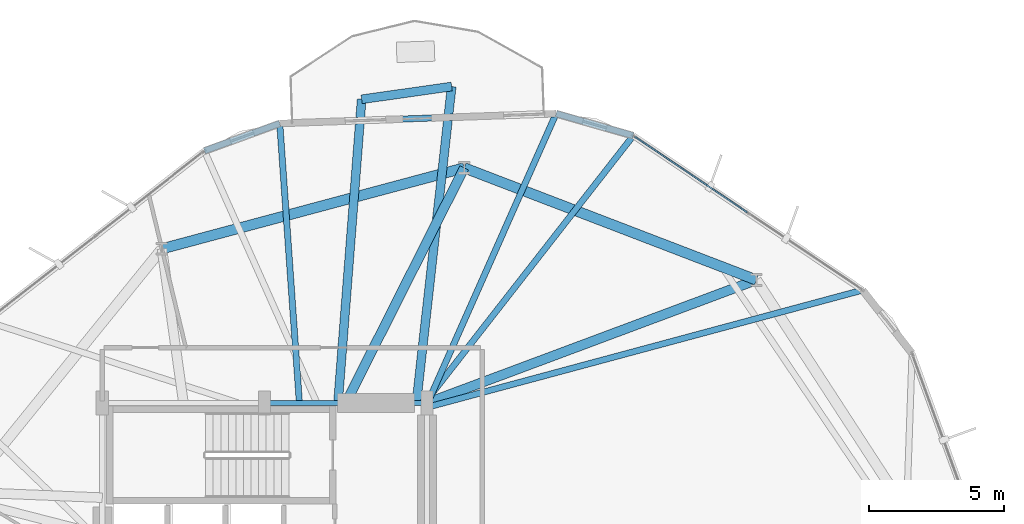
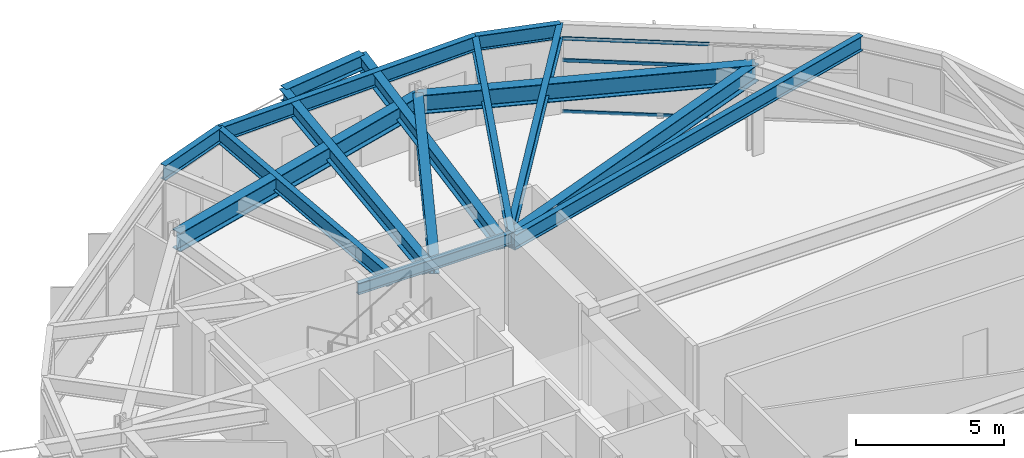
# One storey, part 13 of 21: 15 beams, 3 members, 1 element without a shape of its own.
"""IFC4 building model written with IfcOpenShell, lengths in metres."""

from ifc_helpers import new_model, si_unit, direction, frame, origin, origin_2d, place, context, subcontext, project, spatial, hollow_rectangle, i_section, extrude, material, layer, layer_set, material_profile, profile_set, type_object, element, aggregate, save


model = new_model("IFC4")

# Units and contexts
model_context = context("Model", 3, precision=1e-05, world=origin(), true_north=direction((0.0, 1.0)))
body_context = subcontext(model_context, "Body", "Model", "MODEL_VIEW")
ifc_project = project(units=[si_unit("LENGTHUNIT", "METRE"), si_unit("AREAUNIT", "SQUARE_METRE"), si_unit("VOLUMEUNIT", "CUBIC_METRE"), si_unit("PLANEANGLEUNIT", "RADIAN"), si_unit("MASSUNIT", "GRAM", prefix="KILO")], contexts=[model_context])

# Site, building, storey
site_placement = place(None, origin())
site = spatial("IfcSite", under=ifc_project, at=site_placement, CompositionType="ELEMENT")
building_placement = place(site_placement, origin())
building = spatial("IfcBuilding", under=site, at=building_placement, Name="Soratama Intermodal Tower", CompositionType="ELEMENT")
storey_placement = place(building_placement, frame((0.0, 0.0, 34.60009765625)))
storey = spatial("IfcBuildingStorey", under=building, at=storey_placement, Name="L07", CompositionType="ELEMENT", Elevation=34.60009765625)

# Beams
ifc_material_1 = material(Name="Structural steel ASTM A992 Grade 50", Category="steel")
ifc_material_profile_1 = material_profile(ifc_material_1, i_section(OverallWidth=0.324951171875, OverallDepth=0.615966796875, WebThickness=0.013916015625, FlangeThickness=0.021484375, FilletRadius=0.013916015625, at=origin_2d()), Name="W24X117")
ifc_profile_set_1 = profile_set([ifc_material_profile_1], Name="Structural steel ASTM A992 Grade 50")
beam_type_1 = type_object("IfcBeamType", Name="BM-CANT-W24X117", PredefinedType="BEAM", material=ifc_profile_set_1)
beam_1_placement = place(storey_placement, frame((45.51708984375, 46.699951171875, 3.391845703125), z_axis=(-0.990095674072, -0.140394288291, 0.0), x_axis=(0.140394288291, -0.990095674072, 0.0)))
element("IfcBeam", 1, at=beam_1_placement, inside=storey, type_object=beam_type_1, Name="BM-L07-CBHDR-2", PredefinedType="BEAM", context=body_context, shape_type="SweptSolid", body=[
    extrude(i_section(OverallWidth=0.324951171875, OverallDepth=0.615966796875, WebThickness=0.013916015625, FlangeThickness=0.021484375, FilletRadius=0.013916015625, at=origin_2d()), origin(), (0.0, 0.0, 1.0), 3.361328125),
])
beam_2_placement = place(storey_placement, frame((44.216064453125, 35.0400390625, 3.391845703125), z_axis=(0.110892872052, 0.993832365607, 0.0), x_axis=(-0.993832365607, 0.110892872052, 0.0)))
element("IfcBeam", 2, at=beam_2_placement, inside=storey, type_object=beam_type_1, Name="BM-L07-CANT-2-1", PredefinedType="BEAM", context=body_context, shape_type="SweptSolid", body=[
    extrude(i_section(OverallWidth=0.324951171875, OverallDepth=0.615966796875, WebThickness=0.013916015625, FlangeThickness=0.021484375, FilletRadius=0.013916015625, at=origin_2d()), origin(), (0.0, 0.0, 1.0), 11.732177734375),
])
beam_3_placement = place(storey_placement, frame((41.31689453125, 35.0400390625, 3.391845703125), z_axis=(0.077711297756, 0.996975904524, 0.0), x_axis=(-0.996975904524, 0.077711297756, 0.0)))
element("IfcBeam", 3, at=beam_3_placement, inside=storey, type_object=beam_type_1, Name="BM-L07-CANT-2-2", PredefinedType="BEAM", context=body_context, shape_type="SweptSolid", body=[
    extrude(i_section(OverallWidth=0.324951171875, OverallDepth=0.615966796875, WebThickness=0.013916015625, FlangeThickness=0.021484375, FilletRadius=0.013916015625, at=origin_2d()), origin(), (0.0, 0.0, 1.0), 11.221923828125),
])
ifc_material_2 = material(Name="Structural steel ASTM A992 Grade 50", Category="steel")
ifc_material_profile_2 = material_profile(ifc_material_2, i_section(OverallWidth=0.19091796875, OverallDepth=0.4599609375, WebThickness=0.010009765625, FlangeThickness=0.01611328125, FilletRadius=0.010986328125, at=origin_2d()), Name="W18X55")
ifc_profile_set_2 = profile_set([ifc_material_profile_2], Name="Structural steel ASTM A992 Grade 50")
beam_type_2 = type_object("IfcBeamType", Name="BM-FLR-W18X55", PredefinedType="BEAM", material=ifc_profile_set_2)
beam_4_placement = place(storey_placement, frame((44.60009765625, 35.0, 3.469970703125), z_axis=(-1.0, 0.0, 0.0), x_axis=(0.0, -1.0, 0.0)))
element("IfcBeam", 4, at=beam_4_placement, inside=storey, type_object=beam_type_2, Name="BM-L07-CRING-06", PredefinedType="BEAM", context=body_context, shape_type="SweptSolid", body=[
    extrude(i_section(OverallWidth=0.19091796875, OverallDepth=0.4599609375, WebThickness=0.010009765625, FlangeThickness=0.01611328125, FilletRadius=0.010986328125, at=origin_2d()), origin(), (0.0, 0.0, 1.0), 6.0),
])
ifc_material_3 = material(Name="Structural steel ASTM A992 Grade 50", Category="steel")
ifc_material_profile_3 = material_profile(ifc_material_3, i_section(OverallWidth=0.35498046875, OverallDepth=0.695068359375, WebThickness=0.015380859375, FlangeThickness=0.02490234375, FilletRadius=0.01611328125, at=origin_2d()), Name="W27X146")
ifc_profile_set_3 = profile_set([ifc_material_profile_3], Name="Structural steel ASTM A992 Grade 50")
beam_type_3 = type_object("IfcBeamType", Name="BM-RING-W27X146", PredefinedType="BEAM", material=ifc_profile_set_3)
beam_5_placement = place(storey_placement, frame((44.60009765625, 35.0, 3.352294921875), z_axis=(0.936827486358, 0.349791739189, 0.0), x_axis=(-0.349791739189, 0.936827486358, 0.0)))
element("IfcBeam", 5, at=beam_5_placement, inside=storey, type_object=beam_type_3, Name="BM-L07-RAD-02", PredefinedType="BEAM", context=body_context, shape_type="SweptSolid", body=[
    extrude(i_section(OverallWidth=0.35498046875, OverallDepth=0.695068359375, WebThickness=0.015380859375, FlangeThickness=0.02490234375, FilletRadius=0.01611328125, at=origin_2d()), origin(), (0.0, 0.0, 1.0), 13.002197265625),
])
beam_6_placement = place(storey_placement, frame((41.60009765625, 35.0, 3.352294921875), z_axis=(0.449910017166, 0.893073891934, 0.0), x_axis=(-0.893073891934, 0.449910017166, 0.0)))
element("IfcBeam", 6, at=beam_6_placement, inside=storey, type_object=beam_type_3, Name="BM-L07-RAD-03", PredefinedType="BEAM", context=body_context, shape_type="SweptSolid", body=[
    extrude(i_section(OverallWidth=0.35498046875, OverallDepth=0.695068359375, WebThickness=0.015380859375, FlangeThickness=0.02490234375, FilletRadius=0.01611328125, at=origin_2d()), origin(), (0.0, 0.0, 1.0), 9.735107421875),
])
ifc_material_4 = material(Name="Structural steel ASTM A992 Grade 50", Category="steel")
ifc_material_profile_4 = material_profile(ifc_material_4, i_section(OverallWidth=0.382080078125, OverallDepth=0.779052734375, WebThickness=0.01806640625, FlangeThickness=0.030029296875, FilletRadius=0.01806640625, at=origin_2d()), Name="W30X191")
ifc_profile_set_4 = profile_set([ifc_material_profile_4], Name="Structural steel ASTM A992 Grade 50")
beam_type_4 = type_object("IfcBeamType", Name="BM-RING-W30X191", PredefinedType="BEAM", material=ifc_profile_set_4)
beam_7_placement = place(storey_placement, frame((56.781005859375, 39.548095703125, 3.310302734375), z_axis=(-0.933584159632, 0.358358224246, 0.0), x_axis=(-0.358358224246, -0.933584159632, 0.0)))
element("IfcBeam", 7, at=beam_7_placement, inside=storey, type_object=beam_type_4, Name="BM-L07-RING-02", PredefinedType="BEAM", context=body_context, shape_type="SweptSolid", body=[
    extrude(i_section(OverallWidth=0.382080078125, OverallDepth=0.779052734375, WebThickness=0.01806640625, FlangeThickness=0.030029296875, FilletRadius=0.01806640625, at=origin_2d()), origin(), (0.0, 0.0, 1.0), 11.5693359375),
])
beam_8_placement = place(storey_placement, frame((45.97998046875, 43.694091796875, 3.310302734375), z_axis=(-0.965935902196, -0.258781438376, 0.0), x_axis=(0.258781438376, -0.965935902196, 0.0)))
element("IfcBeam", 8, at=beam_8_placement, inside=storey, type_object=beam_type_4, Name="BM-L07-RING-03", PredefinedType="BEAM", context=body_context, shape_type="SweptSolid", body=[
    extrude(i_section(OverallWidth=0.382080078125, OverallDepth=0.779052734375, WebThickness=0.01806640625, FlangeThickness=0.030029296875, FilletRadius=0.01806640625, at=origin_2d()), origin(), (0.0, 0.0, 1.0), 11.570068359375),
])
ifc_material_5 = material(Name="Structural steel ASTM A992 Grade 50", Category="steel")
ifc_material_profile_5 = material_profile(ifc_material_5, i_section(OverallWidth=0.22900390625, OverallDepth=0.612060546875, WebThickness=0.011962890625, FlangeThickness=0.01953125, FilletRadius=0.012939453125, at=origin_2d()), Name="W24X84")
ifc_profile_set_5 = profile_set([ifc_material_profile_5], Name="Structural steel ASTM A992 Grade 50")
beam_type_5 = type_object("IfcBeamType", Name="BM-SPN-W24X84", PredefinedType="SPANDREL", material=ifc_profile_set_5)
beam_9_placement = place(storey_placement, frame((52.22998046875, 44.885009765625, 3.393798828125), z_axis=(-0.961542575222, 0.274655922993, 0.0), x_axis=(-0.274655922993, -0.961542575222, 0.0)))
element("IfcBeam", 9, at=beam_9_placement, inside=storey, type_object=beam_type_5, Name="BS-L07-CRN02", PredefinedType="SPANDREL", context=body_context, shape_type="SweptSolid", body=[
    extrude(i_section(OverallWidth=0.22900390625, OverallDepth=0.612060546875, WebThickness=0.011962890625, FlangeThickness=0.01953125, FilletRadius=0.012939453125, at=origin_2d()), origin(), (0.0, 0.0, 1.0), 2.967041015625),
])
beam_10_placement = place(storey_placement, frame((49.376953125, 45.699951171875, 3.393798828125), z_axis=(-0.999369197052, -0.035513490166, 0.0), x_axis=(0.035513490166, -0.999369197052, 0.0)))
element("IfcBeam", 10, at=beam_10_placement, inside=storey, type_object=beam_type_5, Name="BS-L07-F03", PredefinedType="SPANDREL", context=body_context, shape_type="SweptSolid", body=[
    extrude(i_section(OverallWidth=0.22900390625, OverallDepth=0.612060546875, WebThickness=0.011962890625, FlangeThickness=0.01953125, FilletRadius=0.012939453125, at=origin_2d()), origin(), (0.0, 0.0, 1.0), 10.222412109375),
])
beam_11_placement = place(storey_placement, frame((39.160888671875, 45.3369140625, 3.393798828125), z_axis=(-0.93942042634, -0.342767067517, 0.0), x_axis=(0.342767067517, -0.93942042634, 0.0)))
element("IfcBeam", 11, at=beam_11_placement, inside=storey, type_object=beam_type_5, Name="BS-L07-CRN03", PredefinedType="SPANDREL", context=body_context, shape_type="SweptSolid", body=[
    extrude(i_section(OverallWidth=0.22900390625, OverallDepth=0.612060546875, WebThickness=0.011962890625, FlangeThickness=0.01953125, FilletRadius=0.012939453125, at=origin_2d()), origin(), (0.0, 0.0, 1.0), 2.966552734375),
])
ifc_material_6 = material(Name="Structural steel ASTM A992 Grade 50", Category="steel")
ifc_material_profile_6 = material_profile(ifc_material_6, i_section(OverallWidth=0.22900390625, OverallDepth=0.612060546875, WebThickness=0.011962890625, FlangeThickness=0.01953125, FilletRadius=0.012939453125, at=origin_2d()), Name="W24X84")
ifc_profile_set_6 = profile_set([ifc_material_profile_6], Name="Structural steel ASTM A992 Grade 50")
beam_type_6 = type_object("IfcBeamType", Name="BM-TIE-W24X84", PredefinedType="BEAM", material=ifc_profile_set_6)
beam_12_placement = place(storey_placement, frame((44.638916015625, 34.85009765625, 3.393798828125), z_axis=(0.965654700323, 0.25982878929, 0.0), x_axis=(-0.25982878929, 0.965654700323, 0.0)))
element("IfcBeam", 12, at=beam_12_placement, inside=storey, type_object=beam_type_6, Name="BM-L07-TIE0-02", PredefinedType="BEAM", context=body_context, shape_type="SweptSolid", body=[
    extrude(i_section(OverallWidth=0.22900390625, OverallDepth=0.612060546875, WebThickness=0.011962890625, FlangeThickness=0.01953125, FilletRadius=0.012939453125, at=origin_2d()), origin(), (0.0, 0.0, 1.0), 16.6416015625),
])
beam_13_placement = place(storey_placement, frame((44.537109375, 35.031982421875, 3.393798828125), z_axis=(0.615405242117, 0.788210877859, 0.0), x_axis=(-0.788210877859, 0.615405242117, 0.0)))
element("IfcBeam", 13, at=beam_13_placement, inside=storey, type_object=beam_type_6, Name="BM-L07-TIE1-02", PredefinedType="BEAM", context=body_context, shape_type="SweptSolid", body=[
    extrude(i_section(OverallWidth=0.22900390625, OverallDepth=0.612060546875, WebThickness=0.011962890625, FlangeThickness=0.01953125, FilletRadius=0.012939453125, at=origin_2d()), origin(), (0.0, 0.0, 1.0), 12.50048828125),
])
beam_14_placement = place(storey_placement, frame((44.615966796875, 34.97607421875, 3.393798828125), z_axis=(0.405769687376, 0.91397536116, 0.0), x_axis=(-0.91397536116, 0.405769687376, 0.0)))
element("IfcBeam", 14, at=beam_14_placement, inside=storey, type_object=beam_type_6, Name="BM-L07-TIE0-03", PredefinedType="BEAM", context=body_context, shape_type="SweptSolid", body=[
    extrude(i_section(OverallWidth=0.22900390625, OverallDepth=0.612060546875, WebThickness=0.011962890625, FlangeThickness=0.01953125, FilletRadius=0.012939453125, at=origin_2d()), origin(), (0.0, 0.0, 1.0), 11.733154296875),
])
beam_15_placement = place(storey_placement, frame((39.884033203125, 35.0400390625, 3.393798828125), z_axis=(-0.070056959989, 0.997542992736, 0.0), x_axis=(-0.997542992736, -0.070056959989, 0.0)))
element("IfcBeam", 15, at=beam_15_placement, inside=storey, type_object=beam_type_6, Name="BM-L07-TIE1-03", PredefinedType="BEAM", context=body_context, shape_type="SweptSolid", body=[
    extrude(i_section(OverallWidth=0.22900390625, OverallDepth=0.612060546875, WebThickness=0.011962890625, FlangeThickness=0.01953125, FilletRadius=0.012939453125, at=origin_2d()), origin(), (0.0, 0.0, 1.0), 10.322265625),
])

# Curtain wall, members
ifc_material_7 = material(Name="Double-glazed aluminium curtain wall", Category="aluminium")
ifc_layer = layer(ifc_material_7, 0.159912109375)
ifc_layer_set = layer_set([ifc_layer], Name="Double-glazed aluminium curtain wall")
curtain_wall_type = type_object("IfcCurtainWallType", Name="CW-SYS-2", PredefinedType="NOTDEFINED", material=ifc_layer_set)
curtain_wall_placement = place(storey_placement, origin())
curtain_wall = element("IfcCurtainWall", 16, at=curtain_wall_placement, inside=storey, type_object=curtain_wall_type, Name="L07 Faceted Curtain Wall F02", PredefinedType="NOTDEFINED")
ifc_material_8 = material(Name="Anodised aluminium AA 6063-T6", Category="aluminium")
ifc_material_profile_7 = material_profile(ifc_material_8, hollow_rectangle(XDim=0.06494140625, YDim=0.14990234375, WallThickness=0.0048828125, InnerFilletRadius=0.0048828125, OuterFilletRadius=0.010009765625, at=origin_2d()), Name="CWT150X65X5")
ifc_profile_set_7 = profile_set([ifc_material_profile_7], Name="Anodised aluminium AA 6063-T6")
member_type = type_object("IfcMemberType", Name="TT-CWT-1", PredefinedType="USERDEFINED", material=ifc_profile_set_7)
member_1_placement = place(storey_placement, frame((56.4443359375, 42.046142578125, 0.02978515625), z_axis=(-0.829423135499, 0.558620857379, 0.0), x_axis=(-0.558620857379, -0.829423135499, 0.0)))
member_1 = element("IfcMember", 17, at=member_1_placement, type_object=member_type, Name="CW-2 transom 2.1", ObjectType="TRANSOM", PredefinedType="USERDEFINED", context=body_context, shape_type="SweptSolid", body=[
    extrude(hollow_rectangle(XDim=0.06494140625, YDim=0.14990234375, WallThickness=0.0048828125, InnerFilletRadius=0.0048828125, OuterFilletRadius=0.010009765625, at=origin_2d()), origin(), (0.0, 0.0, 1.0), 5.021728515625),
])
member_2_placement = place(storey_placement, frame((56.4443359375, 42.046142578125, 2.14990234375), z_axis=(-0.829423135499, 0.558620857379, 0.0), x_axis=(-0.558620857379, -0.829423135499, 0.0)))
member_2 = element("IfcMember", 18, at=member_2_placement, type_object=member_type, Name="CW-2 transom 2.2", ObjectType="TRANSOM", PredefinedType="USERDEFINED", context=body_context, shape_type="SweptSolid", body=[
    extrude(hollow_rectangle(XDim=0.06494140625, YDim=0.14990234375, WallThickness=0.0048828125, InnerFilletRadius=0.0048828125, OuterFilletRadius=0.010009765625, at=origin_2d()), origin(), (0.0, 0.0, 1.0), 5.021728515625),
])
member_3_placement = place(storey_placement, frame((56.4443359375, 42.046142578125, 3.048828125), z_axis=(-0.829423135499, 0.558620857379, 0.0), x_axis=(-0.558620857379, -0.829423135499, 0.0)))
member_3 = element("IfcMember", 19, at=member_3_placement, type_object=member_type, Name="CW-2 transom 2.3", ObjectType="TRANSOM", PredefinedType="USERDEFINED", context=body_context, shape_type="SweptSolid", body=[
    extrude(hollow_rectangle(XDim=0.06494140625, YDim=0.14990234375, WallThickness=0.0048828125, InnerFilletRadius=0.0048828125, OuterFilletRadius=0.010009765625, at=origin_2d()), origin(), (0.0, 0.0, 1.0), 5.021728515625),
])
aggregate(curtain_wall, [member_1, member_2, member_3])

save(model, "model.ifc")
